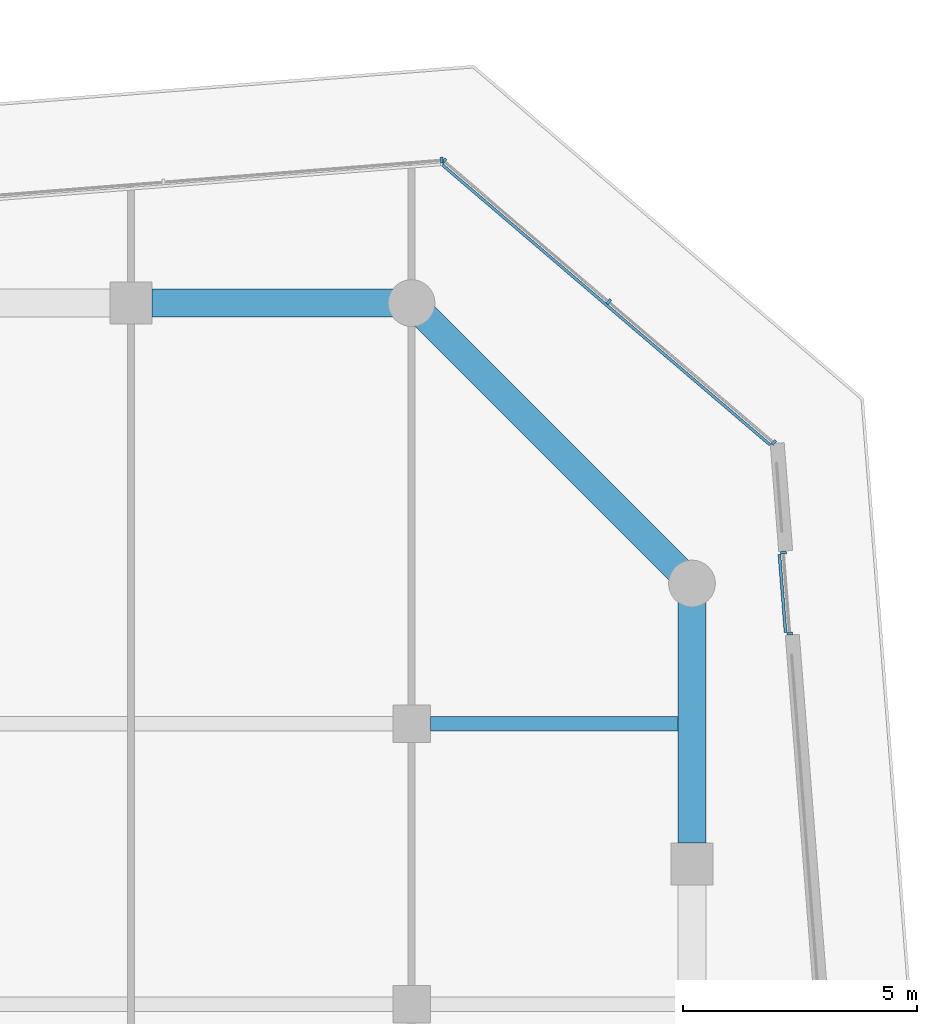
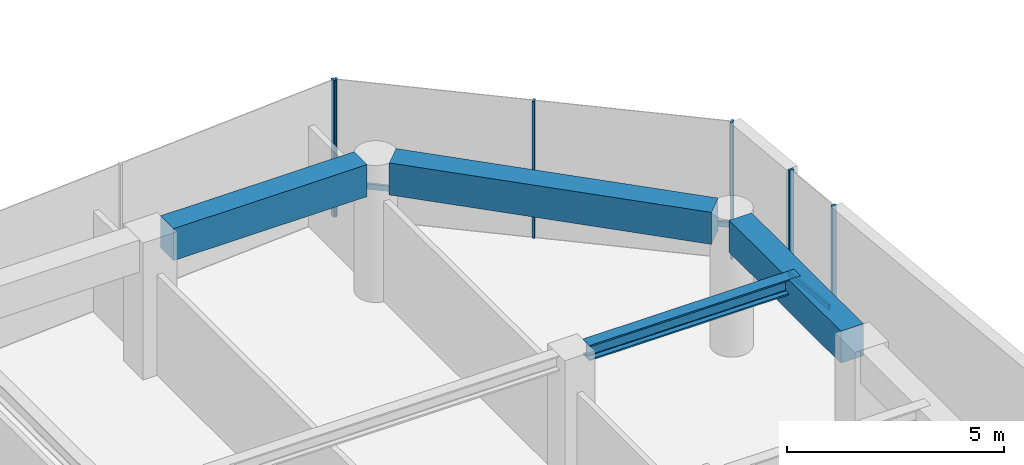
# One storey, part 9 of 25: 8 members, 4 beams, 3 elements without a shape of their own.
"""IFC4 building model written with IfcOpenShell, lengths in metres."""

from ifc_helpers import new_model, si_unit, direction, frame, origin, origin_2d, place, context, subcontext, project, spatial, rectangle, i_section, extrude, material, layer, layer_set, material_profile, profile_set, type_object, element, aggregate, save


model = new_model("IFC4")

# Units and contexts
model_context = context("Model", 3, precision=1e-05, world=origin(), true_north=direction((0.0, 1.0)))
body_context = subcontext(model_context, "Body", "Model", "MODEL_VIEW")
ifc_project = project(units=[si_unit("LENGTHUNIT", "METRE"), si_unit("AREAUNIT", "SQUARE_METRE"), si_unit("VOLUMEUNIT", "CUBIC_METRE"), si_unit("PLANEANGLEUNIT", "RADIAN"), si_unit("MASSUNIT", "GRAM", prefix="KILO")], contexts=[model_context])

# Site, building, storey
site_placement = place(None, origin())
site = spatial("IfcSite", under=ifc_project, at=site_placement, CompositionType="ELEMENT")
building_placement = place(site_placement, origin())
building = spatial("IfcBuilding", under=site, at=building_placement, Name="Welwitschia Terrace Campus", CompositionType="ELEMENT")
storey_placement = place(building_placement, frame((0.0, 0.0, 92.0)))
storey = spatial("IfcBuildingStorey", under=building, at=storey_placement, Name="L20", CompositionType="ELEMENT", Elevation=92.0)

# Beam
ifc_material_1 = material(Name="Steel S355", Category="steel")
ifc_material_profile_1 = material_profile(ifc_material_1, i_section(OverallWidth=0.306884765625, OverallDepth=0.431884765625, WebThickness=0.02099609375, FlangeThickness=0.0400390625, FilletRadius=0.027099609375, at=origin_2d()))
ifc_profile_set_1 = profile_set([ifc_material_profile_1], Name="Steel S355")
beam_type_1 = type_object("IfcBeamType", Name="Interior girder HE 400 M", PredefinedType="BEAM", material=ifc_profile_set_1)
beam_1_placement = place(storey_placement, frame((48.400390625, 19.0, 3.634033203125), z_axis=(1.0, 0.0, 0.0), x_axis=(0.0, 1.0, 0.0)))
element("IfcBeam", 1, at=beam_1_placement, inside=storey, type_object=beam_type_1, Name="Girder GB3", PredefinedType="BEAM", context=body_context, shape_type="SweptSolid", body=[
    extrude(i_section(OverallWidth=0.306884765625, OverallDepth=0.431884765625, WebThickness=0.02099609375, FlangeThickness=0.0400390625, FilletRadius=0.027099609375, at=origin_2d()), origin(), (0.0, 0.0, 1.0), 5.609619140625),
])

# Curtain wall, members
ifc_material_2 = material(Name="Bronze anodised aluminium", Category="aluminium")
ifc_layer = layer(ifc_material_2, 0.1201171875)
ifc_layer_set = layer_set([ifc_layer], Name="Bronze anodised aluminium")
curtain_wall_type = type_object("IfcCurtainWallType", Name="Curtain wall CW2 tower 6000", PredefinedType="NOTDEFINED", material=ifc_layer_set)
curtain_wall_1_placement = place(storey_placement, origin())
curtain_wall_1 = element("IfcCurtainWall", 2, at=curtain_wall_1_placement, inside=storey, type_object=curtain_wall_type, Name="CW L20.6.S0", PredefinedType="NOTDEFINED")
ifc_material_3 = material(Name="Bronze anodised aluminium", Category="aluminium")
ifc_material_profile_2 = material_profile(ifc_material_3, rectangle(XDim=0.1201171875, YDim=0.06005859375, at=origin_2d()))
ifc_profile_set_2 = profile_set([ifc_material_profile_2], Name="Bronze anodised aluminium")
member_type_1 = type_object("IfcMemberType", Name="Mullion 60x120", PredefinedType="MULLION", material=ifc_profile_set_2)
member_1_placement = place(storey_placement, frame((56.094482421875, 20.92724609375, 0.0), z_axis=(0.0, 0.0, 1.0), x_axis=(-0.996917333733, -0.078459095728, 0.0)))
member_1 = element("IfcMember", 3, at=member_1_placement, type_object=member_type_1, Name="Mullion L20.6.S0.0", PredefinedType="MULLION", context=body_context, shape_type="SweptSolid", body=[
    extrude(rectangle(XDim=0.1201171875, YDim=0.06005859375, at=origin_2d()), origin(), (0.0, 0.0, 1.0), 3.85009765625),
])
member_2_placement = place(storey_placement, frame((55.957763671875, 22.661865234375, 0.0), z_axis=(0.0, 0.0, 1.0), x_axis=(-0.996917333733, -0.078459095728, 0.0)))
member_2 = element("IfcMember", 4, at=member_2_placement, type_object=member_type_1, Name="Mullion L20.6.S0.1", PredefinedType="MULLION", context=body_context, shape_type="SweptSolid", body=[
    extrude(rectangle(XDim=0.1201171875, YDim=0.06005859375, at=origin_2d()), origin(), (0.0, 0.0, 1.0), 3.85009765625),
])

curtain_wall_2_placement = place(storey_placement, origin())
curtain_wall_2 = element("IfcCurtainWall", 5, at=curtain_wall_2_placement, inside=storey, type_object=curtain_wall_type, Name="CW L20.7.0", PredefinedType="NOTDEFINED")
member_3_placement = place(storey_placement, frame((55.751220703125, 25.017578125, 0.0), z_axis=(0.0, 0.0, 1.0), x_axis=(-0.64944804833, -0.7604059656, 0.0)))
member_3 = element("IfcMember", 6, at=member_3_placement, type_object=member_type_1, Name="Mullion L20.7.0.0", PredefinedType="MULLION", context=body_context, shape_type="SweptSolid", body=[
    extrude(rectangle(XDim=0.1201171875, YDim=0.06005859375, at=origin_2d()), origin(), (0.0, 0.0, 1.0), 3.85009765625),
])
member_4_placement = place(storey_placement, frame((52.223388671875, 28.030517578125, 0.0), z_axis=(0.0, 0.0, 1.0), x_axis=(-0.64944804833, -0.7604059656, 0.0)))
member_4 = element("IfcMember", 7, at=member_4_placement, type_object=member_type_1, Name="Mullion L20.7.0.1", PredefinedType="MULLION", context=body_context, shape_type="SweptSolid", body=[
    extrude(rectangle(XDim=0.1201171875, YDim=0.06005859375, at=origin_2d()), origin(), (0.0, 0.0, 1.0), 3.85009765625),
])
member_5_placement = place(storey_placement, frame((48.69580078125, 31.04345703125, 0.0), z_axis=(0.0, 0.0, 1.0), x_axis=(-0.64944804833, -0.7604059656, 0.0)))
member_5 = element("IfcMember", 8, at=member_5_placement, type_object=member_type_1, Name="Mullion L20.7.0.2", PredefinedType="MULLION", context=body_context, shape_type="SweptSolid", body=[
    extrude(rectangle(XDim=0.1201171875, YDim=0.06005859375, at=origin_2d()), origin(), (0.0, 0.0, 1.0), 3.85009765625),
])

# Curtain wall, member
curtain_wall_3_placement = place(storey_placement, origin())
curtain_wall_3 = element("IfcCurtainWall", 9, at=curtain_wall_3_placement, inside=storey, type_object=curtain_wall_type, Name="CW L20.8.0", PredefinedType="NOTDEFINED")
member_6_placement = place(storey_placement, frame((48.64306640625, 31.060546875, 0.0), z_axis=(0.0, 0.0, 1.0), x_axis=(0.078459095728, -0.996917333733, 0.0)))
member_6 = element("IfcMember", 10, at=member_6_placement, type_object=member_type_1, Name="Mullion L20.8.0.0", PredefinedType="MULLION", context=body_context, shape_type="SweptSolid", body=[
    extrude(rectangle(XDim=0.1201171875, YDim=0.06005859375, at=origin_2d()), origin(), (0.0, 0.0, 1.0), 3.85009765625),
])
aggregate(curtain_wall_3, [member_6])

# Beams
ifc_material_4 = material(Name="Concrete C60/75", Category="concrete")
ifc_material_profile_3 = material_profile(ifc_material_4, rectangle(XDim=0.60009765625, YDim=0.89990234375, at=origin_2d()))
ifc_profile_set_3 = profile_set([ifc_material_profile_3], Name="Concrete C60/75")
beam_type_2 = type_object("IfcBeamType", Name="Ring spandrel 600x900", PredefinedType="SPANDREL", material=ifc_profile_set_3)
beam_2_placement = place(storey_placement, frame((54.0, 16.450439453125, 3.39990234375), z_axis=(0.0, 1.0, 0.0), x_axis=(-1.0, 0.0, 0.0)))
element("IfcBeam", 11, at=beam_2_placement, inside=storey, type_object=beam_type_2, Name="Spandrel SP2", PredefinedType="SPANDREL", context=body_context, shape_type="SweptSolid", body=[
    extrude(rectangle(XDim=0.60009765625, YDim=0.89990234375, at=origin_2d()), origin(), (0.0, 0.0, 1.0), 5.149169921875),
])
beam_3_placement = place(storey_placement, frame((53.716796875, 22.283203125, 3.39990234375), z_axis=(-0.707106781187, 0.707106781187, 0.0), x_axis=(-0.707106781187, -0.707106781187, 0.0)))
element("IfcBeam", 12, at=beam_3_placement, inside=storey, type_object=beam_type_2, Name="Spandrel SP2", PredefinedType="SPANDREL", context=body_context, shape_type="SweptSolid", body=[
    extrude(rectangle(XDim=0.60009765625, YDim=0.89990234375, at=origin_2d()), origin(), (0.0, 0.0, 1.0), 7.684326171875),
])
beam_4_placement = place(storey_placement, frame((47.599609375, 28.0, 3.39990234375), z_axis=(-1.0, 0.0, 0.0), x_axis=(0.0, -1.0, 0.0)))
element("IfcBeam", 13, at=beam_4_placement, inside=storey, type_object=beam_type_2, Name="Spandrel SP2", PredefinedType="SPANDREL", context=body_context, shape_type="SweptSolid", body=[
    extrude(rectangle(XDim=0.60009765625, YDim=0.89990234375, at=origin_2d()), origin(), (0.0, 0.0, 1.0), 5.149169921875),
])

# Member
ifc_material_5 = material(Name="Bronze anodised aluminium", Category="aluminium")
ifc_material_profile_4 = material_profile(ifc_material_5, rectangle(XDim=0.06005859375, YDim=0.14990234375, at=origin_2d()))
ifc_profile_set_4 = profile_set([ifc_material_profile_4], Name="Bronze anodised aluminium")
member_type_2 = type_object("IfcMemberType", Name="Transom 60x150", PredefinedType="USERDEFINED", material=ifc_profile_set_4)
member_7_placement = place(storey_placement, frame((56.002197265625, 20.9501953125, 1.0), z_axis=(-0.078474447191, 0.996916125428, 0.0), x_axis=(-0.996916125428, -0.078474447191, 0.0)))
member_7 = element("IfcMember", 14, at=member_7_placement, type_object=member_type_2, Name="Transom L20.6.S0", ObjectType="TRANSOM", PredefinedType="USERDEFINED", context=body_context, shape_type="SweptSolid", body=[
    extrude(rectangle(XDim=0.06005859375, YDim=0.14990234375, at=origin_2d()), origin(), (0.0, 0.0, 1.0), 1.679931640625),
])

aggregate(curtain_wall_1, [member_1, member_2, member_7])

member_8_placement = place(storey_placement, frame((55.669921875, 24.968505859375, 1.0), z_axis=(-0.760397655817, 0.64945777771, 0.0), x_axis=(-0.64945777771, -0.760397655817, 0.0)))
member_8 = element("IfcMember", 15, at=member_8_placement, type_object=member_type_2, Name="Transom L20.7.0", ObjectType="TRANSOM", PredefinedType="USERDEFINED", context=body_context, shape_type="SweptSolid", body=[
    extrude(rectangle(XDim=0.06005859375, YDim=0.14990234375, at=origin_2d()), origin(), (0.0, 0.0, 1.0), 9.218505859375),
])

aggregate(curtain_wall_2, [member_3, member_4, member_5, member_8])

save(model, "model.ifc")
